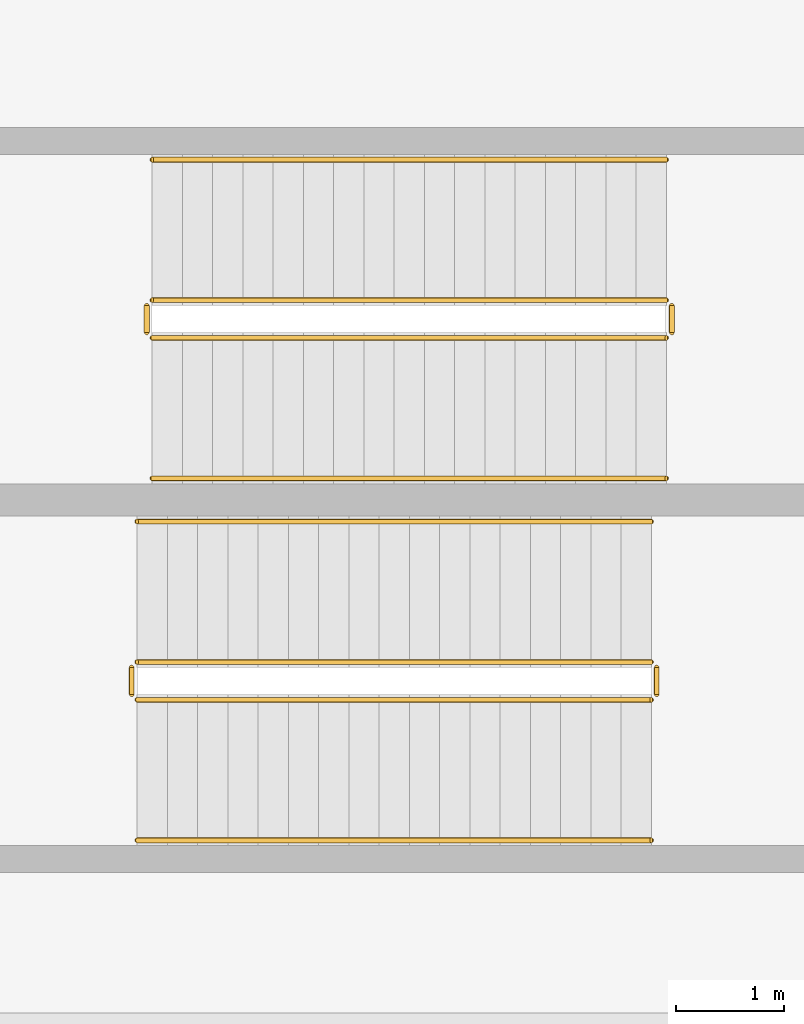
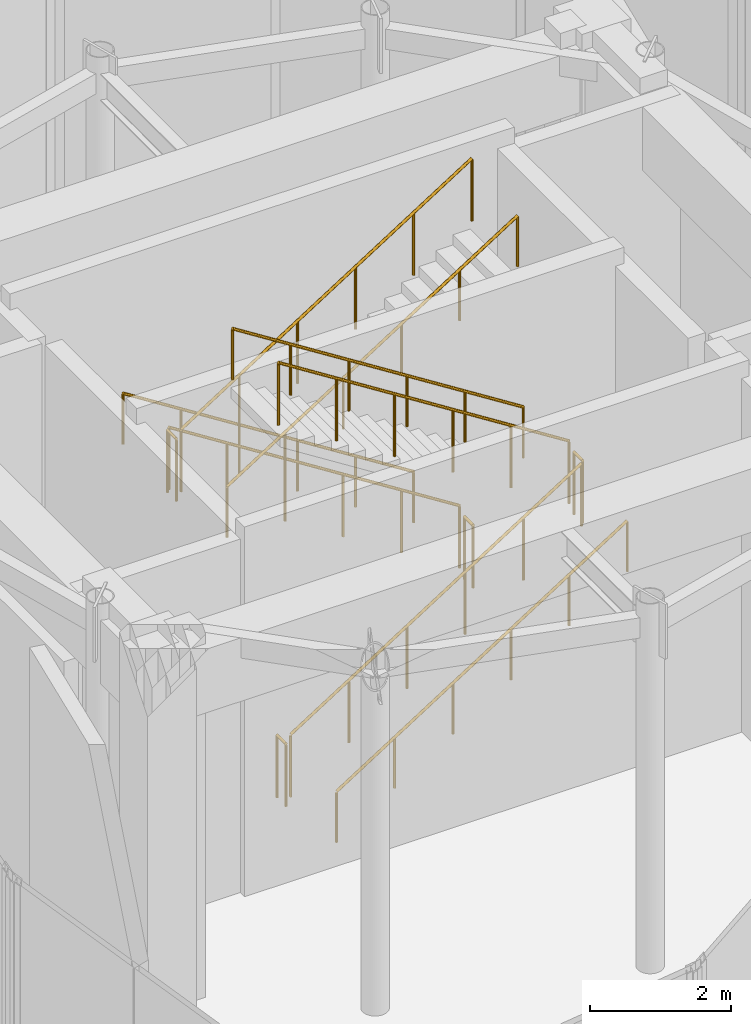
# One storey, part 8 of 8: 12 railings.
"""IFC4 building model written with IfcOpenShell, lengths in metres."""

from ifc_helpers import new_model, si_unit, direction, frame, origin, origin_2d, place, context, subcontext, project, spatial, circle, extrude, material, type_object, element, save


model = new_model("IFC4")

# Units and contexts
model_context = context("Model", 3, precision=1e-05, world=origin(), true_north=direction((0.0, 1.0)))
body_context = subcontext(model_context, "Body", "Model", "MODEL_VIEW")
ifc_project = project(units=[si_unit("LENGTHUNIT", "METRE"), si_unit("AREAUNIT", "SQUARE_METRE"), si_unit("VOLUMEUNIT", "CUBIC_METRE"), si_unit("PLANEANGLEUNIT", "RADIAN"), si_unit("MASSUNIT", "GRAM", prefix="KILO")], contexts=[model_context])

# Site, building, storey
site_placement = place(None, origin())
site = spatial("IfcSite", under=ifc_project, at=site_placement, CompositionType="ELEMENT")
building_placement = place(site_placement, origin())
building = spatial("IfcBuilding", under=site, at=building_placement, Name="Solvirekh Grand Hotel", CompositionType="ELEMENT")
storey_placement = place(building_placement, frame((0.0, 0.0, 321.0)))
storey = spatial("IfcBuildingStorey", under=building, at=storey_placement, Name="L81", CompositionType="ELEMENT", Elevation=321.0)

# Railings
ifc_material_1 = material(Name="Steel S355", Category="steel")
railing_type_1 = type_object("IfcRailingType", Name="Guard_Stair_1100", PredefinedType="GUARDRAIL", material=ifc_material_1)
railing_1_placement = place(storey_placement, frame((-2.449951171875, -1.85009765625, 0.177734375)))
element("IfcRailing", 1, at=railing_1_placement, inside=storey, type_object=railing_type_1, Name="L81 ST-1 stair guard 1", PredefinedType="GUARDRAIL", context=body_context, shape_type="SweptSolid", body=[
    extrude(circle(Radius=0.02392578125, at=origin_2d()), frame((0.0, 0.0, 1.076171875), z_axis=(0.844213748262, 0.0, 0.536006667166), x_axis=(0.0, 1.0, 0.0)), (0.0, 0.0, 1.0), 5.638427734375),
    extrude(circle(Radius=0.02099609375, at=origin_2d()), origin(), (0.0, 0.0, 1.0), 1.052001953125),
    extrude(circle(Radius=0.02099609375, at=origin_2d()), frame((0.951904296875, 0.0, 0.6044921875)), (0.0, 0.0, 1.0), 1.052001953125),
    extrude(circle(Radius=0.02099609375, at=origin_2d()), frame((1.904052734375, 0.0, 1.208984375)), (0.0, 0.0, 1.0), 1.052001953125),
    extrude(circle(Radius=0.02099609375, at=origin_2d()), frame((2.85595703125, 0.0, 1.813232421875)), (0.0, 0.0, 1.0), 1.052001953125),
    extrude(circle(Radius=0.02099609375, at=origin_2d()), frame((3.80810546875, 0.0, 2.417724609375)), (0.0, 0.0, 1.0), 1.052001953125),
    extrude(circle(Radius=0.02099609375, at=origin_2d()), frame((4.760009765625, 0.0, 3.022216796875)), (0.0, 0.0, 1.0), 1.052001953125),
])
railing_2_placement = place(storey_placement, frame((2.360107421875, -1.800048828125, 3.199951171875)))
element("IfcRailing", 2, at=railing_2_placement, inside=storey, type_object=railing_type_1, Name="L81 ST-1 stair guard 2", PredefinedType="GUARDRAIL", context=body_context, shape_type="SweptSolid", body=[
    extrude(circle(Radius=0.02392578125, at=origin_2d()), frame((0.0, 0.0, 1.076171875), z_axis=(0.0, 1.0, 0.0), x_axis=(-1.0, 0.0, 0.0)), (0.0, 0.0, 1.0), 0.25),
    extrude(circle(Radius=0.02099609375, at=origin_2d()), origin(), (0.0, 0.0, 1.0), 1.052001953125),
    extrude(circle(Radius=0.02099609375, at=origin_2d()), frame((0.0, 0.25, 0.0)), (0.0, 0.0, 1.0), 1.052001953125),
])
railing_3_placement = place(storey_placement, frame((2.31005859375, -1.5, 3.377685546875)))
element("IfcRailing", 3, at=railing_3_placement, inside=storey, type_object=railing_type_1, Name="L81 ST-1 stair guard 3", PredefinedType="GUARDRAIL", context=body_context, shape_type="SweptSolid", body=[
    extrude(circle(Radius=0.02392578125, at=origin_2d()), frame((0.0, 0.0, 1.076171875), z_axis=(-0.844213748262, 0.0, 0.536006667166), x_axis=(0.0, -1.0, 0.0)), (0.0, 0.0, 1.0), 5.638427734375),
    extrude(circle(Radius=0.02099609375, at=origin_2d()), origin(), (0.0, 0.0, 1.0), 1.052001953125),
    extrude(circle(Radius=0.02099609375, at=origin_2d()), frame((-0.951904296875, 0.0, 0.6044921875)), (0.0, 0.0, 1.0), 1.052001953125),
    extrude(circle(Radius=0.02099609375, at=origin_2d()), frame((-1.904052734375, 0.0, 1.208984375)), (0.0, 0.0, 1.0), 1.052001953125),
    extrude(circle(Radius=0.02099609375, at=origin_2d()), frame((-2.85595703125, 0.0, 1.813232421875)), (0.0, 0.0, 1.0), 1.052001953125),
    extrude(circle(Radius=0.02099609375, at=origin_2d()), frame((-3.80810546875, 0.0, 2.417724609375)), (0.0, 0.0, 1.0), 1.052001953125),
    extrude(circle(Radius=0.02099609375, at=origin_2d()), frame((-4.760009765625, 0.0, 3.022216796875)), (0.0, 0.0, 1.0), 1.052001953125),
])
railing_4_placement = place(storey_placement, frame((-2.5, -1.800048828125, 0.0)))
element("IfcRailing", 4, at=railing_4_placement, inside=storey, type_object=railing_type_1, Name="L81 ST-1 stair guard 4", PredefinedType="GUARDRAIL", context=body_context, shape_type="SweptSolid", body=[
    extrude(circle(Radius=0.02392578125, at=origin_2d()), frame((0.0, 0.0, 1.076171875), z_axis=(0.0, 1.0, 0.0), x_axis=(-1.0, 0.0, 0.0)), (0.0, 0.0, 1.0), 0.25),
    extrude(circle(Radius=0.02099609375, at=origin_2d()), origin(), (0.0, 0.0, 1.0), 1.052001953125),
    extrude(circle(Radius=0.02099609375, at=origin_2d()), frame((0.0, 0.25, 0.0)), (0.0, 0.0, 1.0), 1.052001953125),
])
railing_5_placement = place(storey_placement, frame((2.449951171875, 1.85009765625, 0.177734375)))
element("IfcRailing", 5, at=railing_5_placement, inside=storey, type_object=railing_type_1, Name="L81 ST-2 stair guard 1", PredefinedType="GUARDRAIL", context=body_context, shape_type="SweptSolid", body=[
    extrude(circle(Radius=0.02392578125, at=origin_2d()), frame((0.0, 0.0, 1.076171875), z_axis=(-0.844213748262, 0.0, 0.536006667166), x_axis=(0.0, -1.0, 0.0)), (0.0, 0.0, 1.0), 5.638427734375),
    extrude(circle(Radius=0.02099609375, at=origin_2d()), origin(), (0.0, 0.0, 1.0), 1.052001953125),
    extrude(circle(Radius=0.02099609375, at=origin_2d()), frame((-0.951904296875, 0.0, 0.6044921875)), (0.0, 0.0, 1.0), 1.052001953125),
    extrude(circle(Radius=0.02099609375, at=origin_2d()), frame((-1.904052734375, 0.0, 1.208984375)), (0.0, 0.0, 1.0), 1.052001953125),
    extrude(circle(Radius=0.02099609375, at=origin_2d()), frame((-2.85595703125, 0.0, 1.813232421875)), (0.0, 0.0, 1.0), 1.052001953125),
    extrude(circle(Radius=0.02099609375, at=origin_2d()), frame((-3.80810546875, 0.0, 2.417724609375)), (0.0, 0.0, 1.0), 1.052001953125),
    extrude(circle(Radius=0.02099609375, at=origin_2d()), frame((-4.760009765625, 0.0, 3.022216796875)), (0.0, 0.0, 1.0), 1.052001953125),
])
railing_6_placement = place(storey_placement, frame((-2.360107421875, 1.800048828125, 3.199951171875)))
element("IfcRailing", 6, at=railing_6_placement, inside=storey, type_object=railing_type_1, Name="L81 ST-2 stair guard 2", PredefinedType="GUARDRAIL", context=body_context, shape_type="SweptSolid", body=[
    extrude(circle(Radius=0.02392578125, at=origin_2d()), frame((0.0, 0.0, 1.076171875), z_axis=(0.0, -1.0, 0.0), x_axis=(1.0, 0.0, 0.0)), (0.0, 0.0, 1.0), 0.25),
    extrude(circle(Radius=0.02099609375, at=origin_2d()), origin(), (0.0, 0.0, 1.0), 1.052001953125),
    extrude(circle(Radius=0.02099609375, at=origin_2d()), frame((0.0, -0.25, 0.0)), (0.0, 0.0, 1.0), 1.052001953125),
])
railing_7_placement = place(storey_placement, frame((-2.31005859375, 1.5, 3.377685546875)))
element("IfcRailing", 7, at=railing_7_placement, inside=storey, type_object=railing_type_1, Name="L81 ST-2 stair guard 3", PredefinedType="GUARDRAIL", context=body_context, shape_type="SweptSolid", body=[
    extrude(circle(Radius=0.02392578125, at=origin_2d()), frame((0.0, 0.0, 1.076171875), z_axis=(0.844213748262, 0.0, 0.536006667166), x_axis=(0.0, 1.0, 0.0)), (0.0, 0.0, 1.0), 5.638427734375),
    extrude(circle(Radius=0.02099609375, at=origin_2d()), origin(), (0.0, 0.0, 1.0), 1.052001953125),
    extrude(circle(Radius=0.02099609375, at=origin_2d()), frame((0.951904296875, 0.0, 0.6044921875)), (0.0, 0.0, 1.0), 1.052001953125),
    extrude(circle(Radius=0.02099609375, at=origin_2d()), frame((1.904052734375, 0.0, 1.208984375)), (0.0, 0.0, 1.0), 1.052001953125),
    extrude(circle(Radius=0.02099609375, at=origin_2d()), frame((2.85595703125, 0.0, 1.813232421875)), (0.0, 0.0, 1.0), 1.052001953125),
    extrude(circle(Radius=0.02099609375, at=origin_2d()), frame((3.80810546875, 0.0, 2.417724609375)), (0.0, 0.0, 1.0), 1.052001953125),
    extrude(circle(Radius=0.02099609375, at=origin_2d()), frame((4.760009765625, 0.0, 3.022216796875)), (0.0, 0.0, 1.0), 1.052001953125),
])
railing_8_placement = place(storey_placement, frame((2.5, 1.800048828125, 0.0)))
element("IfcRailing", 8, at=railing_8_placement, inside=storey, type_object=railing_type_1, Name="L81 ST-2 stair guard 4", PredefinedType="GUARDRAIL", context=body_context, shape_type="SweptSolid", body=[
    extrude(circle(Radius=0.02392578125, at=origin_2d()), frame((0.0, 0.0, 1.076171875), z_axis=(0.0, -1.0, 0.0), x_axis=(1.0, 0.0, 0.0)), (0.0, 0.0, 1.0), 0.25),
    extrude(circle(Radius=0.02099609375, at=origin_2d()), origin(), (0.0, 0.0, 1.0), 1.052001953125),
    extrude(circle(Radius=0.02099609375, at=origin_2d()), frame((0.0, -0.25, 0.0)), (0.0, 0.0, 1.0), 1.052001953125),
])
ifc_material_2 = material(Name="Anodized Bronze Aluminium 6063-T6", Category="aluminium")
railing_type_2 = type_object("IfcRailingType", Name="Handrail_Wall_900", PredefinedType="HANDRAIL", material=ifc_material_2)
railing_9_placement = place(storey_placement, frame((-2.449951171875, -3.14990234375, 0.177734375)))
element("IfcRailing", 9, at=railing_9_placement, inside=storey, type_object=railing_type_2, Name="L81 ST-1 stair handrail 1", PredefinedType="HANDRAIL", context=body_context, shape_type="SweptSolid", body=[
    extrude(circle(Radius=0.02392578125, at=origin_2d()), frame((0.0, 0.0, 0.8759765625), z_axis=(0.844213748262, 0.0, 0.536006667166), x_axis=(0.0, 1.0, 0.0)), (0.0, 0.0, 1.0), 5.638427734375),
    extrude(circle(Radius=0.02099609375, at=origin_2d()), origin(), (0.0, 0.0, 1.0), 0.851806640625),
    extrude(circle(Radius=0.02099609375, at=origin_2d()), frame((0.951904296875, 0.0, 0.6044921875)), (0.0, 0.0, 1.0), 0.851806640625),
    extrude(circle(Radius=0.02099609375, at=origin_2d()), frame((1.904052734375, 0.0, 1.208984375)), (0.0, 0.0, 1.0), 0.851806640625),
    extrude(circle(Radius=0.02099609375, at=origin_2d()), frame((2.85595703125, 0.0, 1.813232421875)), (0.0, 0.0, 1.0), 0.851806640625),
    extrude(circle(Radius=0.02099609375, at=origin_2d()), frame((3.80810546875, 0.0, 2.417724609375)), (0.0, 0.0, 1.0), 0.851806640625),
    extrude(circle(Radius=0.02099609375, at=origin_2d()), frame((4.760009765625, 0.0, 3.022216796875)), (0.0, 0.0, 1.0), 0.851806640625),
])
for number, where, name in (
    (10, (2.31005859375, -0.199951171875, 3.377685546875), "L81 ST-1 stair handrail 2"),
    (11, (2.449951171875, 3.14990234375, 0.177734375), "L81 ST-2 stair handrail 1"),
):
    element("IfcRailing", number, at=place(storey_placement, frame(where)), inside=storey, type_object=railing_type_2, Name=name, PredefinedType="HANDRAIL", context=body_context, shape_type="SweptSolid", body=[
        extrude(circle(Radius=0.02392578125, at=origin_2d()), frame((0.0, 0.0, 0.8759765625), z_axis=(-0.844213748262, 0.0, 0.536006667166), x_axis=(0.0, -1.0, 0.0)), (0.0, 0.0, 1.0), 5.638427734375),
        extrude(circle(Radius=0.02099609375, at=origin_2d()), origin(), (0.0, 0.0, 1.0), 0.851806640625),
        extrude(circle(Radius=0.02099609375, at=origin_2d()), frame((-0.951904296875, 0.0, 0.6044921875)), (0.0, 0.0, 1.0), 0.851806640625),
        extrude(circle(Radius=0.02099609375, at=origin_2d()), frame((-1.904052734375, 0.0, 1.208984375)), (0.0, 0.0, 1.0), 0.851806640625),
        extrude(circle(Radius=0.02099609375, at=origin_2d()), frame((-2.85595703125, 0.0, 1.813232421875)), (0.0, 0.0, 1.0), 0.851806640625),
        extrude(circle(Radius=0.02099609375, at=origin_2d()), frame((-3.80810546875, 0.0, 2.417724609375)), (0.0, 0.0, 1.0), 0.851806640625),
        extrude(circle(Radius=0.02099609375, at=origin_2d()), frame((-4.760009765625, 0.0, 3.022216796875)), (0.0, 0.0, 1.0), 0.851806640625),
    ])
railing_10_placement = place(storey_placement, frame((-2.31005859375, 0.199951171875, 3.377685546875)))
element("IfcRailing", 12, at=railing_10_placement, inside=storey, type_object=railing_type_2, Name="L81 ST-2 stair handrail 2", PredefinedType="HANDRAIL", context=body_context, shape_type="SweptSolid", body=[
    extrude(circle(Radius=0.02392578125, at=origin_2d()), frame((0.0, 0.0, 0.8759765625), z_axis=(0.844213748262, 0.0, 0.536006667166), x_axis=(0.0, 1.0, 0.0)), (0.0, 0.0, 1.0), 5.638427734375),
    extrude(circle(Radius=0.02099609375, at=origin_2d()), origin(), (0.0, 0.0, 1.0), 0.851806640625),
    extrude(circle(Radius=0.02099609375, at=origin_2d()), frame((0.951904296875, 0.0, 0.6044921875)), (0.0, 0.0, 1.0), 0.851806640625),
    extrude(circle(Radius=0.02099609375, at=origin_2d()), frame((1.904052734375, 0.0, 1.208984375)), (0.0, 0.0, 1.0), 0.851806640625),
    extrude(circle(Radius=0.02099609375, at=origin_2d()), frame((2.85595703125, 0.0, 1.813232421875)), (0.0, 0.0, 1.0), 0.851806640625),
    extrude(circle(Radius=0.02099609375, at=origin_2d()), frame((3.80810546875, 0.0, 2.417724609375)), (0.0, 0.0, 1.0), 0.851806640625),
    extrude(circle(Radius=0.02099609375, at=origin_2d()), frame((4.760009765625, 0.0, 3.022216796875)), (0.0, 0.0, 1.0), 0.851806640625),
])

save(model, "model.ifc")
